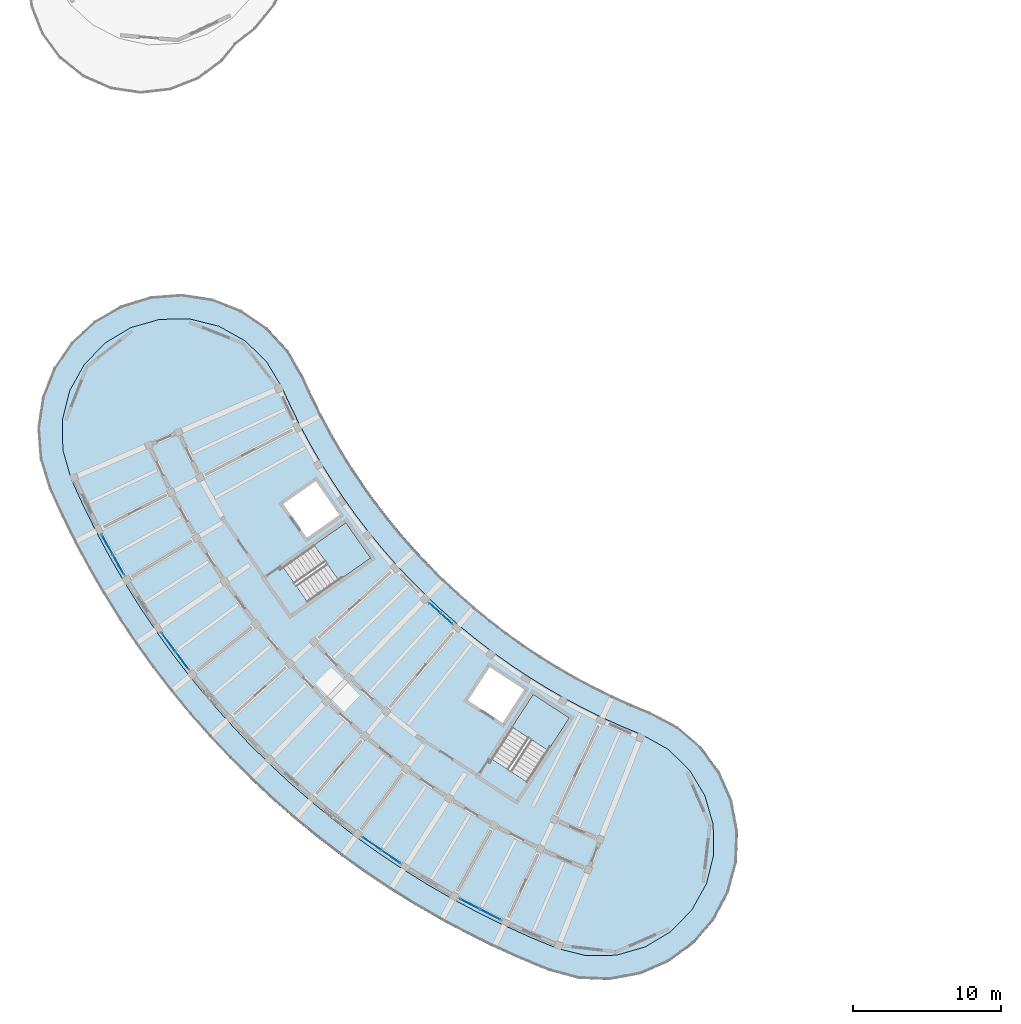
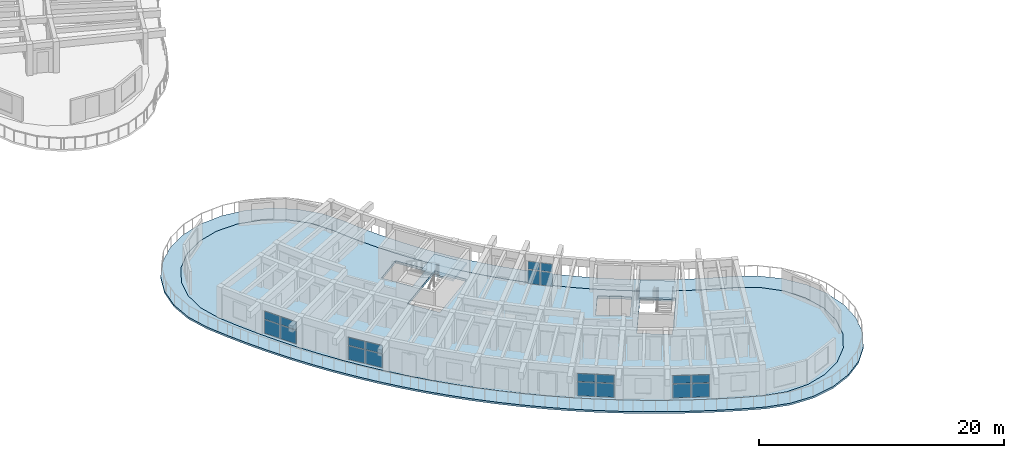
# One storey, part 27 of 62: 20 plates, 4 slabs, 7 elements without a shape of their own.
"""IFC4 building model written with IfcOpenShell, lengths in metres."""

from ifc_helpers import new_model, si_unit, direction, frame, origin, origin_2d, place, context, subcontext, project, spatial, polyline, rectangle, outline, extrude, material, layer, layer_set, type_object, element, aggregate, save


model = new_model("IFC4")

# Units and contexts
model_context = context("Model", 3, precision=1e-05, world=origin(), true_north=direction((0.0, 1.0)))
body_context = subcontext(model_context, "Body", "Model", "MODEL_VIEW")
ifc_project = project(units=[si_unit("LENGTHUNIT", "METRE"), si_unit("AREAUNIT", "SQUARE_METRE"), si_unit("VOLUMEUNIT", "CUBIC_METRE"), si_unit("PLANEANGLEUNIT", "RADIAN"), si_unit("MASSUNIT", "GRAM", prefix="KILO")], contexts=[model_context])

# Site, building, storey
site_placement = place(None, origin())
site = spatial("IfcSite", under=ifc_project, at=site_placement, CompositionType="ELEMENT")
building_placement = place(site_placement, origin())
building = spatial("IfcBuilding", under=site, at=building_placement, Name="Tanwirah Colonnade Gardens", CompositionType="ELEMENT")
storey_placement = place(building_placement, frame((0.0, 0.0, 32.360107421875)))
storey = spatial("IfcBuildingStorey", under=building, at=storey_placement, Name="L09", CompositionType="ELEMENT", Elevation=32.360107421875)

# Curtain wall, plates
ifc_material_1 = material(Name="Bronze-anodised aluminium and solar-control low-E glass", Category="aluminium")
curtain_wall_type_1 = type_object("IfcCurtainWallType", Name="CW-LOB", PredefinedType="NOTDEFINED", material=ifc_material_1)
curtain_wall_1_placement = place(storey_placement, origin())
curtain_wall_1 = element("IfcCurtainWall", 1, at=curtain_wall_1_placement, inside=storey, type_object=curtain_wall_type_1, Name="Curtain Wall CW-C-L09-OUT-03", PredefinedType="NOTDEFINED")
ifc_material_2 = material(Name="Acoustic solar-control low-E double glazing", Category="glass")
ifc_layer_1 = layer(ifc_material_2, 0.031982421875)
ifc_layer_set_1 = layer_set([ifc_layer_1], Name="Acoustic solar-control low-E double glazing")
plate_type = type_object("IfcPlateType", Name="CWP-GLZ32", PredefinedType="CURTAIN_PANEL", material=ifc_layer_set_1)
plate_1_placement = place(storey_placement, frame((12.62939453125, 36.2099609375, 0.070068359375), z_axis=(0.0, 0.0, 1.0), x_axis=(0.486715095364, -0.873560768318, 0.0)))
plate_1 = element("IfcPlate", 2, at=plate_1_placement, type_object=plate_type, Name="CW-LOB panel 1.1", PredefinedType="CURTAIN_PANEL", context=body_context, shape_type="SweptSolid", body=[
    extrude(rectangle(XDim=1.4833984375, YDim=0.031982421875, at=origin_2d()), origin(), (0.0, 0.0, 1.0), 1.35498046875),
])
plate_2_placement = place(storey_placement, frame((12.62939453125, 36.2099609375, 1.4951171875), z_axis=(0.0, 0.0, 1.0), x_axis=(0.486715095364, -0.873560768318, 0.0)))
plate_2 = element("IfcPlate", 3, at=plate_2_placement, type_object=plate_type, Name="CW-LOB panel 1.2", PredefinedType="CURTAIN_PANEL", context=body_context, shape_type="SweptSolid", body=[
    extrude(rectangle(XDim=1.4833984375, YDim=0.031982421875, at=origin_2d()), origin(), (0.0, 0.0, 1.0), 0.789794921875),
])
plate_3_placement = place(storey_placement, frame((13.385498046875, 34.85302734375, 0.070068359375), z_axis=(0.0, 0.0, 1.0), x_axis=(0.486715095364, -0.873560768318, 0.0)))
plate_3 = element("IfcPlate", 4, at=plate_3_placement, type_object=plate_type, Name="CW-LOB panel 2.1", PredefinedType="CURTAIN_PANEL", context=body_context, shape_type="SweptSolid", body=[
    extrude(rectangle(XDim=1.4833984375, YDim=0.031982421875, at=origin_2d()), origin(), (0.0, 0.0, 1.0), 1.35498046875),
])
plate_4_placement = place(storey_placement, frame((13.385498046875, 34.85302734375, 1.4951171875), z_axis=(0.0, 0.0, 1.0), x_axis=(0.486715095364, -0.873560768318, 0.0)))
plate_4 = element("IfcPlate", 5, at=plate_4_placement, type_object=plate_type, Name="CW-LOB panel 2.2", PredefinedType="CURTAIN_PANEL", context=body_context, shape_type="SweptSolid", body=[
    extrude(rectangle(XDim=1.4833984375, YDim=0.031982421875, at=origin_2d()), origin(), (0.0, 0.0, 1.0), 0.789794921875),
])
aggregate(curtain_wall_1, [plate_1, plate_2, plate_3, plate_4])

curtain_wall_2_placement = place(storey_placement, origin())
curtain_wall_2 = element("IfcCurtainWall", 6, at=curtain_wall_2_placement, inside=storey, type_object=curtain_wall_type_1, Name="Curtain Wall CW-C-L09-OUT-05", PredefinedType="NOTDEFINED")
plate_5_placement = place(storey_placement, frame((16.77001953125, 29.6162109375, 0.070068359375), z_axis=(0.0, 0.0, 1.0), x_axis=(0.596575785725, -0.802556746833, 0.0)))
plate_5 = element("IfcPlate", 7, at=plate_5_placement, type_object=plate_type, Name="CW-LOB panel 1.1", PredefinedType="CURTAIN_PANEL", context=body_context, shape_type="SweptSolid", body=[
    extrude(rectangle(XDim=1.4833984375, YDim=0.031982421875, at=origin_2d()), origin(), (0.0, 0.0, 1.0), 1.35498046875),
])
plate_6_placement = place(storey_placement, frame((16.77001953125, 29.6162109375, 1.4951171875), z_axis=(0.0, 0.0, 1.0), x_axis=(0.596575785725, -0.802556746833, 0.0)))
plate_6 = element("IfcPlate", 8, at=plate_6_placement, type_object=plate_type, Name="CW-LOB panel 1.2", PredefinedType="CURTAIN_PANEL", context=body_context, shape_type="SweptSolid", body=[
    extrude(rectangle(XDim=1.4833984375, YDim=0.031982421875, at=origin_2d()), origin(), (0.0, 0.0, 1.0), 0.789794921875),
])
plate_7_placement = place(storey_placement, frame((17.69677734375, 28.36962890625, 0.070068359375), z_axis=(0.0, 0.0, 1.0), x_axis=(0.596575785725, -0.802556746833, 0.0)))
plate_7 = element("IfcPlate", 9, at=plate_7_placement, type_object=plate_type, Name="CW-LOB panel 2.1", PredefinedType="CURTAIN_PANEL", context=body_context, shape_type="SweptSolid", body=[
    extrude(rectangle(XDim=1.4833984375, YDim=0.031982421875, at=origin_2d()), origin(), (0.0, 0.0, 1.0), 1.35498046875),
])
plate_8_placement = place(storey_placement, frame((17.69677734375, 28.36962890625, 1.4951171875), z_axis=(0.0, 0.0, 1.0), x_axis=(0.596575785725, -0.802556746833, 0.0)))
plate_8 = element("IfcPlate", 10, at=plate_8_placement, type_object=plate_type, Name="CW-LOB panel 2.2", PredefinedType="CURTAIN_PANEL", context=body_context, shape_type="SweptSolid", body=[
    extrude(rectangle(XDim=1.4833984375, YDim=0.031982421875, at=origin_2d()), origin(), (0.0, 0.0, 1.0), 0.789794921875),
])
aggregate(curtain_wall_2, [plate_5, plate_6, plate_7, plate_8])

curtain_wall_type_2 = type_object("IfcCurtainWallType", Name="CW-GDN", PredefinedType="NOTDEFINED", material=ifc_material_1)
curtain_wall_3_placement = place(storey_placement, origin())
curtain_wall_3 = element("IfcCurtainWall", 11, at=curtain_wall_3_placement, inside=storey, type_object=curtain_wall_type_2, Name="Curtain Wall CW-C-L09-IN-08", PredefinedType="NOTDEFINED")
plate_9_placement = place(storey_placement, frame((34.808349609375, 31.905029296875, 0.070068359375), z_axis=(0.0, 0.0, 1.0), x_axis=(0.741682643058, -0.670750964954, 0.0)))
plate_9 = element("IfcPlate", 12, at=plate_9_placement, type_object=plate_type, Name="CW-GDN panel 1.1", PredefinedType="CURTAIN_PANEL", context=body_context, shape_type="SweptSolid", body=[
    extrude(rectangle(XDim=0.9892578125, YDim=0.031982421875, at=origin_2d()), origin(), (0.0, 0.0, 1.0), 1.35498046875),
])
plate_10_placement = place(storey_placement, frame((34.808349609375, 31.905029296875, 1.4951171875), z_axis=(0.0, 0.0, 1.0), x_axis=(0.741682643058, -0.670750964954, 0.0)))
plate_10 = element("IfcPlate", 13, at=plate_10_placement, type_object=plate_type, Name="CW-GDN panel 1.2", PredefinedType="CURTAIN_PANEL", context=body_context, shape_type="SweptSolid", body=[
    extrude(rectangle(XDim=0.9892578125, YDim=0.031982421875, at=origin_2d()), origin(), (0.0, 0.0, 1.0), 0.789794921875),
])
plate_11_placement = place(storey_placement, frame((35.593994140625, 31.194580078125, 0.070068359375), z_axis=(0.0, 0.0, 1.0), x_axis=(0.741682643058, -0.670750964954, 0.0)))
plate_11 = element("IfcPlate", 14, at=plate_11_placement, type_object=plate_type, Name="CW-GDN panel 2.1", PredefinedType="CURTAIN_PANEL", context=body_context, shape_type="SweptSolid", body=[
    extrude(rectangle(XDim=0.9892578125, YDim=0.031982421875, at=origin_2d()), origin(), (0.0, 0.0, 1.0), 1.35498046875),
])
plate_12_placement = place(storey_placement, frame((35.593994140625, 31.194580078125, 1.4951171875), z_axis=(0.0, 0.0, 1.0), x_axis=(0.741682643058, -0.670750964954, 0.0)))
plate_12 = element("IfcPlate", 15, at=plate_12_placement, type_object=plate_type, Name="CW-GDN panel 2.2", PredefinedType="CURTAIN_PANEL", context=body_context, shape_type="SweptSolid", body=[
    extrude(rectangle(XDim=0.9892578125, YDim=0.031982421875, at=origin_2d()), origin(), (0.0, 0.0, 1.0), 0.789794921875),
])
aggregate(curtain_wall_3, [plate_9, plate_10, plate_11, plate_12])

curtain_wall_4_placement = place(storey_placement, origin())
curtain_wall_4 = element("IfcCurtainWall", 16, at=curtain_wall_4_placement, inside=storey, type_object=curtain_wall_type_1, Name="Curtain Wall CW-C-L09-OUT-10", PredefinedType="NOTDEFINED")
plate_13_placement = place(storey_placement, frame((30.54248046875, 15.964599609375, 0.070068359375), z_axis=(0.0, 0.0, 1.0), x_axis=(0.82288894589, -0.568202237528, 0.0)))
plate_13 = element("IfcPlate", 17, at=plate_13_placement, type_object=plate_type, Name="CW-LOB panel 1.1", PredefinedType="CURTAIN_PANEL", context=body_context, shape_type="SweptSolid", body=[
    extrude(rectangle(XDim=1.4833984375, YDim=0.031982421875, at=origin_2d()), origin(), (0.0, 0.0, 1.0), 1.35498046875),
])
plate_14_placement = place(storey_placement, frame((30.54248046875, 15.964599609375, 1.4951171875), z_axis=(0.0, 0.0, 1.0), x_axis=(0.82288894589, -0.568202237528, 0.0)))
plate_14 = element("IfcPlate", 18, at=plate_14_placement, type_object=plate_type, Name="CW-LOB panel 1.2", PredefinedType="CURTAIN_PANEL", context=body_context, shape_type="SweptSolid", body=[
    extrude(rectangle(XDim=1.4833984375, YDim=0.031982421875, at=origin_2d()), origin(), (0.0, 0.0, 1.0), 0.789794921875),
])
plate_15_placement = place(storey_placement, frame((31.82080078125, 15.081787109375, 0.070068359375), z_axis=(0.0, 0.0, 1.0), x_axis=(0.82288894589, -0.568202237528, 0.0)))
plate_15 = element("IfcPlate", 19, at=plate_15_placement, type_object=plate_type, Name="CW-LOB panel 2.1", PredefinedType="CURTAIN_PANEL", context=body_context, shape_type="SweptSolid", body=[
    extrude(rectangle(XDim=1.4833984375, YDim=0.031982421875, at=origin_2d()), origin(), (0.0, 0.0, 1.0), 1.35498046875),
])
plate_16_placement = place(storey_placement, frame((31.82080078125, 15.081787109375, 1.4951171875), z_axis=(0.0, 0.0, 1.0), x_axis=(0.82288894589, -0.568202237528, 0.0)))
plate_16 = element("IfcPlate", 20, at=plate_16_placement, type_object=plate_type, Name="CW-LOB panel 2.2", PredefinedType="CURTAIN_PANEL", context=body_context, shape_type="SweptSolid", body=[
    extrude(rectangle(XDim=1.4833984375, YDim=0.031982421875, at=origin_2d()), origin(), (0.0, 0.0, 1.0), 0.789794921875),
])
aggregate(curtain_wall_4, [plate_13, plate_14, plate_15, plate_16])

curtain_wall_5_placement = place(storey_placement, origin())
curtain_wall_5 = element("IfcCurtainWall", 21, at=curtain_wall_5_placement, inside=storey, type_object=curtain_wall_type_1, Name="Curtain Wall CW-C-L09-OUT-12", PredefinedType="NOTDEFINED")
plate_17_placement = place(storey_placement, frame((37.17236328125, 11.882080078125, 0.070068359375), z_axis=(0.0, 0.0, 1.0), x_axis=(0.890014111869, -0.455932978269, 0.0)))
plate_17 = element("IfcPlate", 22, at=plate_17_placement, type_object=plate_type, Name="CW-LOB panel 1.1", PredefinedType="CURTAIN_PANEL", context=body_context, shape_type="SweptSolid", body=[
    extrude(rectangle(XDim=1.4833984375, YDim=0.031982421875, at=origin_2d()), origin(), (0.0, 0.0, 1.0), 1.35498046875),
])
plate_18_placement = place(storey_placement, frame((37.17236328125, 11.882080078125, 1.4951171875), z_axis=(0.0, 0.0, 1.0), x_axis=(0.890014111869, -0.455932978269, 0.0)))
plate_18 = element("IfcPlate", 23, at=plate_18_placement, type_object=plate_type, Name="CW-LOB panel 1.2", PredefinedType="CURTAIN_PANEL", context=body_context, shape_type="SweptSolid", body=[
    extrude(rectangle(XDim=1.4833984375, YDim=0.031982421875, at=origin_2d()), origin(), (0.0, 0.0, 1.0), 0.789794921875),
])
plate_19_placement = place(storey_placement, frame((38.554931640625, 11.173828125, 0.070068359375), z_axis=(0.0, 0.0, 1.0), x_axis=(0.890014111869, -0.455932978269, 0.0)))
plate_19 = element("IfcPlate", 24, at=plate_19_placement, type_object=plate_type, Name="CW-LOB panel 2.1", PredefinedType="CURTAIN_PANEL", context=body_context, shape_type="SweptSolid", body=[
    extrude(rectangle(XDim=1.4833984375, YDim=0.031982421875, at=origin_2d()), origin(), (0.0, 0.0, 1.0), 1.35498046875),
])
plate_20_placement = place(storey_placement, frame((38.554931640625, 11.173828125, 1.4951171875), z_axis=(0.0, 0.0, 1.0), x_axis=(0.890014111869, -0.455932978269, 0.0)))
plate_20 = element("IfcPlate", 25, at=plate_20_placement, type_object=plate_type, Name="CW-LOB panel 2.2", PredefinedType="CURTAIN_PANEL", context=body_context, shape_type="SweptSolid", body=[
    extrude(rectangle(XDim=1.4833984375, YDim=0.031982421875, at=origin_2d()), origin(), (0.0, 0.0, 1.0), 0.789794921875),
])
aggregate(curtain_wall_5, [plate_17, plate_18, plate_19, plate_20])

# Slab
ifc_material_3 = material(Name="White architectural precast concrete C40/50", Category="concrete")
ifc_layer_2 = layer(ifc_material_3, 0.18994140625)
ifc_layer_set_2 = layer_set([ifc_layer_2], Name="White architectural precast concrete C40/50")
slab_type_1 = type_object("IfcSlabType", Name="SL-BAL-190", PredefinedType="FLOOR", material=ifc_layer_set_2)
slab_1_placement = place(storey_placement, frame((0.0, 0.0, -0.190185546875)))
element("IfcSlab", 26, at=slab_1_placement, inside=storey, type_object=slab_type_1, Name="Block C L09 Continuous White Balcony Ribbon", PredefinedType="FLOOR", context=body_context, shape_type="SweptSolid", body=[
    extrude(outline(polyline([(24.883056640625, 49.337646484375), (23.453369140625, 50.88232421875), (21.715576171875, 52.0703125), (19.757080078125, 52.841796875), (17.676025390625, 53.157958984375), (15.576904296875, 53.00341796875), (13.564697265625, 52.385498046875), (11.740478515625, 51.335205078125), (10.195556640625, 49.905517578125), (9.007568359375, 48.167724609375), (8.236328125, 46.209228515625), (7.919921875, 44.128173828125), (8.074462890625, 42.029052734375), (8.692626953125, 40.016845703125), (9.523681640625, 38.1875), (10.414306640625, 36.386474609375), (11.363525390625, 34.61572265625), (12.369873046875, 32.876708984375), (13.432861328125, 31.171630859375), (14.55078125, 29.502197265625), (15.722900390625, 27.870361328125), (16.94775390625, 26.277587890625), (18.22412109375, 24.725830078125), (19.550537109375, 23.216796875), (20.92578125, 21.751708984375), (22.347900390625, 20.33251953125), (23.81591796875, 18.960693359375), (25.327880859375, 17.637451171875), (26.882568359375, 16.364501953125), (28.477783203125, 15.143310546875), (30.1123046875, 13.974609375), (31.7841796875, 12.860107421875), (33.491455078125, 11.801025390625), (35.232666015625, 10.79833984375), (37.005615234375, 9.85302734375), (38.80859375, 8.966552734375), (40.6396484375, 8.13916015625), (42.496826171875, 7.372314453125), (44.529296875, 6.824951171875), (46.6328125, 6.74365234375), (48.701416015625, 7.132568359375), (50.6318359375, 7.9716796875), (52.326904296875, 9.2197265625), (53.701904296875, 10.8134765625), (54.687744140625, 12.673095703125), (55.235107421875, 14.705810546875), (55.31640625, 16.80908203125), (54.927734375, 18.877685546875), (54.08837890625, 20.80810546875), (52.840576171875, 22.50341796875), (51.246826171875, 23.87841796875), (49.386962890625, 24.8642578125), (48.0986328125, 25.396240234375), (46.828125, 25.97021484375), (45.5771484375, 26.58544921875), (44.34716796875, 27.2412109375), (43.13916015625, 27.93701171875), (41.95458984375, 28.671630859375), (40.794677734375, 29.445068359375), (39.66064453125, 30.255615234375), (38.5537109375, 31.10302734375), (37.47509765625, 31.986328125), (36.426025390625, 32.904296875), (35.407470703125, 33.856201171875), (34.420654296875, 34.8408203125), (33.466796875, 35.857177734375), (32.54638671875, 36.904296875), (31.660888671875, 37.98095703125), (30.81103515625, 39.0859375), (29.997802734375, 40.218017578125), (29.22216796875, 41.37646484375), (28.484619140625, 42.559326171875), (27.786376953125, 43.765869140625), (27.1279296875, 44.99462890625), (26.510009765625, 46.244140625), (25.933349609375, 47.51318359375), (24.883056640625, 49.337646484375)]), holes=[polyline([(23.4013671875, 48.608154296875), (24.4482421875, 46.865966796875), (25.046142578125, 45.55029296875), (25.04638671875, 45.549560546875), (25.6875, 44.253173828125), (25.687744140625, 44.25244140625), (26.37109375, 42.977783203125), (26.371337890625, 42.97705078125), (27.095947265625, 41.725341796875), (27.09619140625, 41.724853515625), (27.861328125, 40.497314453125), (27.86181640625, 40.496826171875), (28.66650390625, 39.294921875), (28.6669921875, 39.29443359375), (29.5107421875, 38.11962890625), (29.51123046875, 38.119140625), (30.392822265625, 36.97265625), (30.393310546875, 36.97216796875), (31.31201171875, 35.85498046875), (31.3125, 35.8544921875), (32.267333984375, 34.76806640625), (32.267822265625, 34.767578125), (33.257568359375, 33.713134765625), (33.258056640625, 33.712646484375), (34.281982421875, 32.69091796875), (34.282470703125, 32.690673828125), (35.339111328125, 31.702880859375), (35.339599609375, 31.70263671875), (36.42822265625, 30.75), (36.4287109375, 30.749755859375), (37.547607421875, 29.833251953125), (37.54833984375, 29.8330078125), (38.69677734375, 28.95361328125), (38.697265625, 28.953369140625), (39.873779296875, 28.112060546875), (39.874267578125, 28.111572265625), (41.077880859375, 27.309326171875), (41.078369140625, 27.30908203125), (42.307373046875, 26.546630859375), (42.30810546875, 26.54638671875), (43.5615234375, 25.824462890625), (43.56201171875, 25.82421875), (44.83837890625, 25.143798828125), (44.8388671875, 25.1435546875), (46.13671875, 24.505126953125), (46.137451171875, 24.5048828125), (47.45556640625, 23.909423828125), (47.4560546875, 23.9091796875), (48.7919921875, 23.357421875), (50.569580078125, 22.3720703125), (52.030517578125, 20.96142578125), (53.076416015625, 19.220458984375), (53.63623046875, 17.268310546875), (53.671875, 15.237548828125), (53.180419921875, 13.26708984375), (52.19580078125, 11.49072265625), (50.784912109375, 10.02978515625), (49.044189453125, 8.983642578125), (47.091796875, 8.423828125), (45.061279296875, 8.388427734375), (43.089599609375, 8.880126953125), (41.282470703125, 9.626220703125), (39.499755859375, 10.431640625), (37.744384765625, 11.294921875), (36.01806640625, 12.21533203125), (34.322998046875, 13.19140625), (32.66064453125, 14.22265625), (31.03271484375, 15.3076171875), (29.44140625, 16.445556640625), (27.88818359375, 17.634521484375), (26.374755859375, 18.8740234375), (24.902587890625, 20.162109375), (23.473388671875, 21.497802734375), (22.088623046875, 22.879638671875), (20.749755859375, 24.305908203125), (19.458251953125, 25.775146484375), (18.215576171875, 27.2861328125), (17.023193359375, 28.836669921875), (15.8818359375, 30.425537109375), (14.79345703125, 32.051025390625), (13.758544921875, 33.7109375), (12.778564453125, 35.404052734375), (11.8544921875, 37.12841796875), (10.987548828125, 38.8818359375), (10.1787109375, 40.66162109375), (9.618408203125, 42.615234375), (9.5830078125, 44.645751953125), (10.074462890625, 46.616455078125), (11.05908203125, 48.392578125), (12.4697265625, 49.853515625), (14.210693359375, 50.899658203125), (16.162841796875, 51.45947265625), (18.193603515625, 51.494873046875), (20.164306640625, 51.00341796875), (21.9404296875, 50.018798828125), (23.4013671875, 48.608154296875)])]), origin(), (0.0, 0.0, 1.0), 0.190185546875),
])

# Stair, slab
ifc_material_4 = material(Name="Precast concrete C40/50", Category="concrete")
stair_type = type_object("IfcStairType", Name="ST-RES168", PredefinedType="HALF_TURN_STAIR", material=ifc_material_4)
stair_1_placement = place(storey_placement, origin())
stair_1 = element("IfcStair", 27, at=stair_1_placement, inside=storey, type_object=stair_type, Name="L09 Block C Core 1 Exit Stair", PredefinedType="HALF_TURN_STAIR")
ifc_layer_3 = layer(ifc_material_4, 0.205078125)
ifc_layer_set_3 = layer_set([ifc_layer_3], Name="Precast concrete C40/50")
slab_type_2 = type_object("IfcSlabType", Name="SL-LND-205", PredefinedType="LANDING", material=ifc_layer_set_3)
slab_2_placement = place(storey_placement, frame((0.0, 0.0, 1.474853515625)))
slab_2 = element("IfcSlab", 28, at=slab_2_placement, type_object=slab_type_2, Name="ST-C1 landing 1", PredefinedType="LANDING", context=body_context, shape_type="SweptSolid", body=[
    extrude(outline(polyline([(28.290283203125, 33.79052734375), (30.448974609375, 35.3017578125), (28.77392578125, 37.69384765625), (26.615478515625, 36.182373046875), (28.290283203125, 33.79052734375)])), origin(), (0.0, 0.0, 1.0), 0.205078125),
])
aggregate(stair_1, [slab_2])

stair_2_placement = place(storey_placement, origin())
stair_2 = element("IfcStair", 29, at=stair_2_placement, inside=storey, type_object=stair_type, Name="L09 Block C Core 2 Exit Stair", PredefinedType="HALF_TURN_STAIR")
slab_3_placement = place(storey_placement, frame((0.0, 0.0, 1.474853515625)))
slab_3 = element("IfcSlab", 30, at=slab_3_placement, type_object=slab_type_2, Name="ST-C2 landing 1", PredefinedType="LANDING", context=body_context, shape_type="SweptSolid", body=[
    extrude(outline(polyline([(42.467529296875, 22.27490234375), (43.902587890625, 24.48486328125), (41.45361328125, 26.0751953125), (40.0185546875, 23.865234375), (42.467529296875, 22.27490234375)])), origin(), (0.0, 0.0, 1.0), 0.205078125),
])
aggregate(stair_2, [slab_3])

# Slab
ifc_layer_4 = layer(ifc_material_4, 0.2451171875)
ifc_layer_set_4 = layer_set([ifc_layer_4], Name="Precast concrete C40/50")
slab_type_3 = type_object("IfcSlabType", Name="SL-RES-245", PredefinedType="FLOOR", material=ifc_layer_set_4)
slab_4_placement = place(storey_placement, frame((0.0, 0.0, -0.2451171875)))
element("IfcSlab", 31, at=slab_4_placement, inside=storey, type_object=slab_type_3, Name="Block C L09 Precast Composite Floor Slab", PredefinedType="FLOOR", context=body_context, shape_type="SweptSolid", body=[
    extrude(outline(polyline([(25.705322265625, 44.261962890625), (25.064208984375, 45.55859375), (24.466064453125, 46.875244140625), (23.417236328125, 48.62060546875), (21.952392578125, 50.03515625), (20.171630859375, 51.022216796875), (18.19580078125, 51.514892578125), (16.159912109375, 51.4794921875), (14.20263671875, 50.918212890625), (12.457275390625, 49.869384765625), (11.042724609375, 48.40478515625), (10.0556640625, 46.623779296875), (9.56298828125, 44.64794921875), (9.5986328125, 42.612060546875), (10.159912109375, 40.65478515625), (10.969482421875, 38.873291015625), (11.836669921875, 37.119140625), (12.76123046875, 35.394287109375), (13.741455078125, 33.70068359375), (14.776611328125, 32.0400390625), (15.865478515625, 30.414306640625), (17.007080078125, 28.82470703125), (18.199951171875, 27.273681640625), (19.443115234375, 25.76220703125), (20.73486328125, 24.29248046875), (22.07421875, 22.86572265625), (23.45947265625, 21.4833984375), (24.88916015625, 20.1474609375), (26.36181640625, 18.858642578125), (27.875732421875, 17.618896484375), (29.4296875, 16.429443359375), (31.021484375, 15.291259765625), (32.649658203125, 14.205810546875), (34.312744140625, 13.17431640625), (36.00830078125, 12.19775390625), (37.735107421875, 11.277099609375), (39.4912109375, 10.41357421875), (41.2744140625, 9.60791015625), (43.083251953125, 8.861083984375), (45.058837890625, 8.368408203125), (47.094970703125, 8.404052734375), (49.05224609375, 8.96533203125), (50.797607421875, 10.013916015625), (52.2119140625, 11.478759765625), (53.19921875, 13.259521484375), (53.69189453125, 15.2353515625), (53.65625, 17.271240234375), (53.094970703125, 19.228515625), (52.04638671875, 20.973876953125), (50.58154296875, 22.388427734375), (48.800537109375, 23.37548828125), (47.4638671875, 23.927490234375), (46.145751953125, 24.523193359375), (44.84765625, 25.161376953125), (43.571533203125, 25.841796875), (42.318115234375, 26.563720703125), (41.0888671875, 27.326171875), (39.885498046875, 28.12841796875), (38.708740234375, 28.969482421875), (37.560302734375, 29.848876953125), (36.44140625, 30.76513671875), (35.352783203125, 31.717529296875), (34.296142578125, 32.705078125), (33.272216796875, 33.726806640625), (32.282470703125, 34.781494140625), (31.327392578125, 35.86767578125), (30.40869140625, 36.98486328125), (29.52685546875, 38.13134765625), (28.68310546875, 39.30615234375), (27.87841796875, 40.5078125), (27.11328125, 41.7353515625), (26.388671875, 42.987060546875), (25.705322265625, 44.261962890625)]), holes=[polyline([(24.5185546875, 34.71044921875), (28.775634765625, 37.69140625), (30.447021484375, 35.30419921875), (26.18994140625, 32.323486328125), (24.5185546875, 34.71044921875)]), polyline([(26.737060546875, 40.515869140625), (28.343017578125, 38.22216796875), (26.13134765625, 36.673583984375), (24.525390625, 38.967041015625), (26.737060546875, 40.515869140625)]), polyline([(43.900146484375, 24.486572265625), (41.069580078125, 20.1279296875), (38.625732421875, 21.715087890625), (41.4560546875, 26.073486328125), (43.900146484375, 24.486572265625)]), polyline([(39.385498046875, 24.13916015625), (37.037353515625, 25.664306640625), (38.5078125, 27.9287109375), (40.856201171875, 26.403564453125), (39.385498046875, 24.13916015625)])]), origin(), (0.0, 0.0, 1.0), 0.2451171875),
])

save(model, "model.ifc")
